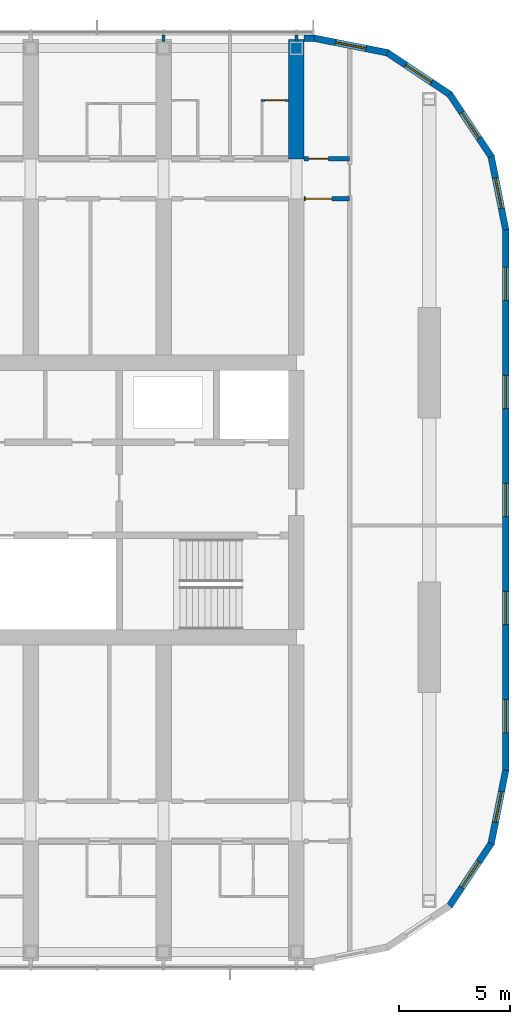
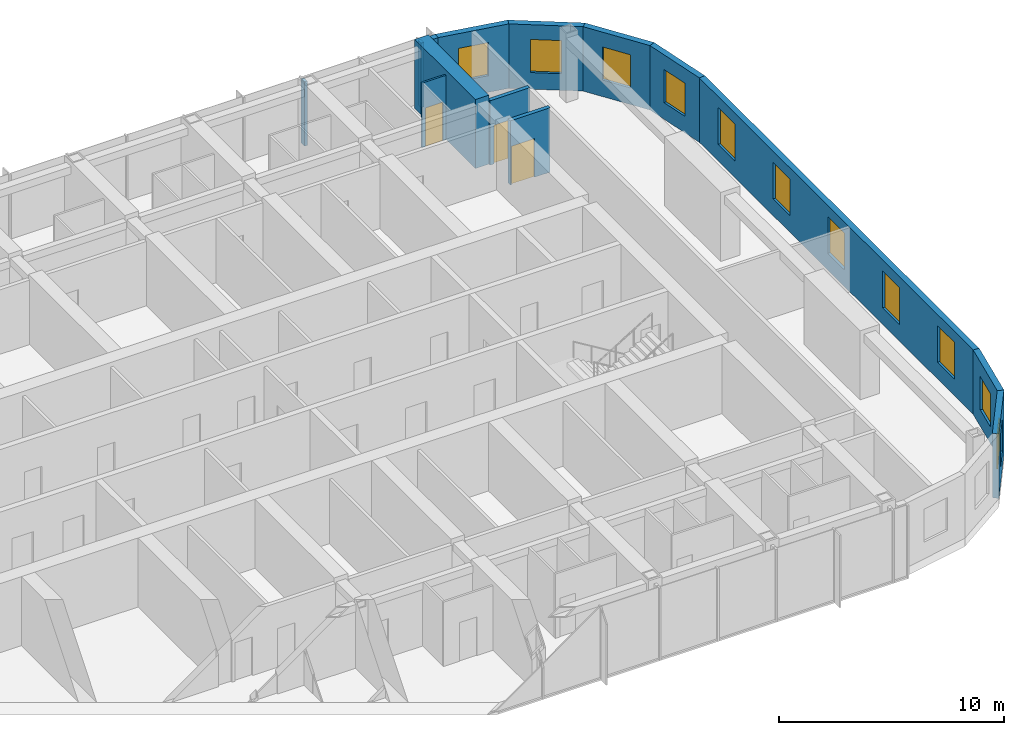
# One storey, part 20 of 27: 14 walls, 11 windows, 3 doors, 14 openings.
"""IFC4 building model written with IfcOpenShell, lengths in metres."""

from ifc_helpers import new_model, si_unit, direction, frame, frame_2d, origin, place, context, subcontext, project, spatial, polyline, rectangle, outline, extrude, material, layer, layer_set, type_object, element, fill, save


model = new_model("IFC4")

# Units and contexts
model_context = context("Model", 3, precision=1e-05, world=origin(), true_north=direction((0.0, 1.0)))
body_context = subcontext(model_context, "Body", "Model", "MODEL_VIEW")
ifc_project = project(units=[si_unit("LENGTHUNIT", "METRE"), si_unit("AREAUNIT", "SQUARE_METRE"), si_unit("VOLUMEUNIT", "CUBIC_METRE"), si_unit("PLANEANGLEUNIT", "RADIAN"), si_unit("MASSUNIT", "GRAM", prefix="KILO")], contexts=[model_context])

# Site, building, storey
site_placement = place(None, origin())
site = spatial("IfcSite", under=ifc_project, at=site_placement, CompositionType="ELEMENT")
building_placement = place(site_placement, origin())
building = spatial("IfcBuilding", under=site, at=building_placement, Name="Orbita Commons", CompositionType="ELEMENT")
storey_placement = place(building_placement, frame((0.0, 0.0, 246.550048828125)))
storey = spatial("IfcBuildingStorey", under=building, at=storey_placement, Name="L61", CompositionType="ELEMENT", Elevation=246.550048828125)

# Wall, opening, door
ifc_material_1 = material(Name="Concrete blockwork", Category="masonry")
ifc_layer_1 = layer(ifc_material_1, 0.199951171875)
ifc_layer_set_1 = layer_set([ifc_layer_1], Name="Concrete blockwork")
wall_type_1 = type_object("IfcWallType", Name="Corridor wall 200 blockwork", PredefinedType="SOLIDWALL", material=ifc_layer_set_1)
wall_1_placement = place(storey_placement, frame((66.35009765625, 47.39990234375, 0.0), z_axis=(0.0, 0.0, 1.0), x_axis=(1.0, 0.0, 0.0)))
wall_1 = element("IfcWall", 1, at=wall_1_placement, inside=storey, type_object=wall_type_1, Name="Corridor wall 200 blockwork L61", PredefinedType="SOLIDWALL", context=body_context, shape_type="SweptSolid", body=[
    extrude(rectangle(XDim=2.0498046875, YDim=0.199951171875, at=frame_2d((1.02490234375, 0.0))), origin(), (0.0, 0.0, 1.0), 3.5),
])
opening_1_placement = place(wall_1_placement, frame((0.199951171875, 0.0, 0.0)))
opening_1 = element("IfcOpeningElement", 2, at=opening_1_placement, cuts=wall_1, Name="Opening D05", PredefinedType="OPENING", context=body_context, shape_type="SweptSolid", body=[
    extrude(rectangle(XDim=0.89990234375, YDim=2.10009765625, at=frame_2d((0.449951171875, 1.050048828125))), frame((0.0, 0.10986328125, 0.0), z_axis=(0.0, -1.0, 0.0), x_axis=(1.0, 0.0, 0.0)), (0.0, 0.0, 1.0), 0.219970703125),
])
ifc_material_2 = material(Name="Steel-faced fire door leaf", Category="steel")
door_type_1 = type_object("IfcDoorType", Name="Service door 20 min 900x2100", OperationType="SINGLE_SWING_LEFT", PredefinedType="DOOR", material=ifc_material_2)
door_1_placement = place(opening_1_placement, origin())
door_1 = element("IfcDoor", 3, at=door_1_placement, inside=storey, type_object=door_type_1, Name="Linen store L61-KEN door", OperationType="SINGLE_SWING_LEFT", OverallHeight=2.10009765625, OverallWidth=0.89990234375, PredefinedType="DOOR", context=body_context, shape_type="SweptSolid", body=[
    extrude(rectangle(XDim=0.89990234375, YDim=2.10009765625, at=frame_2d((0.449951171875, 1.050048828125))), frame((0.0, 0.02490234375, 0.0), z_axis=(0.0, -1.0, 0.0), x_axis=(1.0, 0.0, 0.0)), (0.0, 0.0, 1.0), 0.050048828125),
])
fill(opening_1, door_1)

ifc_material_3 = material(Name="Hollow concrete block 200", Category="concrete")
ifc_layer_2 = layer(ifc_material_3, 0.199951171875)
ifc_layer_set_2 = layer_set([ifc_layer_2], Name="Hollow concrete block 200")
wall_type_2 = type_object("IfcWallType", Name="Corridor wall 200 hollow concrete block", PredefinedType="SOLIDWALL", material=ifc_layer_set_2)
wall_2_placement = place(storey_placement, frame((66.35009765625, 45.60009765625, 0.0), z_axis=(0.0, 0.0, 1.0), x_axis=(1.0, 0.0, 0.0)))
wall_2 = element("IfcWall", 4, at=wall_2_placement, inside=storey, type_object=wall_type_2, Name="Corridor wall 200 hollow concrete block L61", PredefinedType="SOLIDWALL", context=body_context, shape_type="SweptSolid", body=[
    extrude(rectangle(XDim=2.0498046875, YDim=0.199951171875, at=frame_2d((1.02490234375, 0.0))), origin(), (0.0, 0.0, 1.0), 3.5),
])
opening_2_placement = place(wall_2_placement, frame((0.050048828125, 0.0, 0.0)))
opening_2 = element("IfcOpeningElement", 5, at=opening_2_placement, cuts=wall_2, Name="Opening D12", PredefinedType="OPENING", context=body_context, shape_type="SweptSolid", body=[
    extrude(rectangle(XDim=1.199951171875, YDim=2.10009765625, at=frame_2d((0.60009765625, 1.050048828125))), frame((0.0, 0.10986328125, 0.0), z_axis=(0.0, -1.0, 0.0), x_axis=(1.0, 0.0, 0.0)), (0.0, 0.0, 1.0), 0.219970703125),
])
ifc_material_4 = material(Name="Steel-faced fire door leaf", Category="steel")
door_type_2 = type_object("IfcDoorType", Name="Double corridor door 20 min 1200x2100", OperationType="DOUBLE_DOOR_SINGLE_SWING", PredefinedType="DOOR", material=ifc_material_4)
door_2_placement = place(opening_2_placement, origin())
door_2 = element("IfcDoor", 6, at=door_2_placement, inside=storey, type_object=door_type_2, Name="Cross corridor doors", OperationType="DOUBLE_DOOR_SINGLE_SWING", OverallHeight=2.10009765625, OverallWidth=1.199951171875, PredefinedType="DOOR", context=body_context, shape_type="SweptSolid", body=[
    extrude(rectangle(XDim=1.199951171875, YDim=2.10009765625, at=frame_2d((0.60009765625, 1.050048828125))), frame((0.0, 0.02490234375, 0.0), z_axis=(0.0, -1.0, 0.0), x_axis=(1.0, 0.0, 0.0)), (0.0, 0.0, 1.0), 0.050048828125),
])
fill(opening_2, door_2)

# Wall
ifc_material_5 = material(Name="Concrete C50/60", Category="concrete")
ifc_layer_3 = layer(ifc_material_5, 0.699951171875)
ifc_layer_set_3 = layer_set([ifc_layer_3], Name="Concrete C50/60")
wall_type_3 = type_object("IfcWallType", Name="Cross wall 700 C50/60", PredefinedType="SHEAR", material=ifc_layer_set_3)
wall_3_placement = place(storey_placement, frame((66.0, 47.39990234375, 0.0), z_axis=(0.0, 0.0, 1.0), x_axis=(0.0, 1.0, 0.0)))
element("IfcWall", 7, at=wall_3_placement, inside=storey, type_object=wall_type_3, Name="Cross wall 12 north outer L61", PredefinedType="SHEAR", context=body_context, shape_type="SweptSolid", body=[
    extrude(rectangle(XDim=5.400146484375, YDim=0.699951171875, at=frame_2d((2.7001953125, 0.0))), origin(), (0.0, 0.0, 1.0), 3.75),
])

# Wall, opening, door
ifc_material_6 = material(Name="Moisture-resistant plasterboard on steel studs", Category="steel")
ifc_layer_4 = layer(ifc_material_6, 0.10009765625)
ifc_layer_set_4 = layer_set([ifc_layer_4], Name="Moisture-resistant plasterboard on steel studs")
wall_type_4 = type_object("IfcWallType", Name="En-suite partition 100", PredefinedType="PARTITIONING", material=ifc_layer_set_4)
wall_4_placement = place(storey_placement, frame((64.39990234375, 50.041748046875, 0.0), z_axis=(0.0, 0.0, 1.0), x_axis=(1.0, 0.0, 0.0)))
wall_4 = element("IfcWall", 8, at=wall_4_placement, inside=storey, type_object=wall_type_4, Name="En-suite partition 100 L61", PredefinedType="PARTITIONING", context=body_context, shape_type="SweptSolid", body=[
    extrude(rectangle(XDim=1.25, YDim=0.10009765625, at=frame_2d((0.625, 0.0))), origin(), (0.0, 0.0, 1.0), 3.5),
])
opening_3_placement = place(wall_4_placement, frame((0.175048828125, 0.0, 0.0)))
opening_3 = element("IfcOpeningElement", 9, at=opening_3_placement, cuts=wall_4, Name="Opening D09", PredefinedType="OPENING", context=body_context, shape_type="SweptSolid", body=[
    extrude(rectangle(XDim=0.89990234375, YDim=2.10009765625, at=frame_2d((0.449951171875, 1.050048828125))), frame((0.0, 0.06005859375, 0.0), z_axis=(0.0, -1.0, 0.0), x_axis=(1.0, 0.0, 0.0)), (0.0, 0.0, 1.0), 0.1201171875),
])
ifc_material_7 = material(Name="Laminated timber door leaf", Category="wood")
door_type_3 = type_object("IfcDoorType", Name="En-suite door 900x2100", OperationType="SINGLE_SWING_RIGHT", PredefinedType="DOOR", material=ifc_material_7)
door_3_placement = place(opening_3_placement, origin())
door_3 = element("IfcDoor", 10, at=door_3_placement, inside=storey, type_object=door_type_3, Name="En-suite L61-N15 door", OperationType="SINGLE_SWING_RIGHT", OverallHeight=2.10009765625, OverallWidth=0.89990234375, PredefinedType="DOOR", context=body_context, shape_type="SweptSolid", body=[
    extrude(rectangle(XDim=0.89990234375, YDim=2.10009765625, at=frame_2d((0.449951171875, 1.050048828125))), frame((0.0, 0.02490234375, 0.0), z_axis=(0.0, -1.0, 0.0), x_axis=(1.0, 0.0, 0.0)), (0.0, 0.0, 1.0), 0.050048828125),
])
fill(opening_3, door_3)

# Walls
ifc_material_8 = material(Name="Gypsum plasterboard on steel studs", Category="steel")
ifc_layer_5 = layer(ifc_material_8, 0.14990234375)
ifc_layer_set_5 = layer_set([ifc_layer_5], Name="Gypsum plasterboard on steel studs")
wall_type_5 = type_object("IfcWallType", Name="Partition 150 plasterboard", PredefinedType="PARTITIONING", material=ifc_layer_set_5)
for number, where, z_axis, x_axis, name in (
    (11, (60.0, 52.699951171875, 0.0), (0.0, 0.0, 1.0), (0.0, 1.0, 0.0), "Partition 150 plasterboard L61"),
    (12, (66.0, 52.699951171875, 0.0), (0.0, 0.0, 1.0), (0.0, 1.0, 0.0), "Partition 150 plasterboard L61"),
):
    element("IfcWall", number, at=place(storey_placement, frame(where, z_axis=z_axis, x_axis=x_axis)), inside=storey, type_object=wall_type_5, Name=name, PredefinedType="PARTITIONING", context=body_context, shape_type="SweptSolid", body=[
        extrude(rectangle(XDim=0.2900390625, YDim=0.14990234375, at=frame_2d((0.14501953125, 0.0))), origin(), (0.0, 0.0, 1.0), 3.5),
    ])

# Wall, openings, windows
ifc_material_9 = material(Name="Precast concrete C40/50, white board-marked finish", Category="concrete")
ifc_layer_6 = layer(ifc_material_9, 0.300048828125)
ifc_layer_set_6 = layer_set([ifc_layer_6], Name="Precast concrete C40/50, white board-marked finish")
wall_type_6 = type_object("IfcWallType", Name="Precast concrete end shield 300", PredefinedType="SOLIDWALL", material=ifc_layer_set_6)
wall_5_placement = place(storey_placement, frame((75.449951171875, 19.800048828125, 0.0), z_axis=(0.0, 0.0, 1.0), x_axis=(0.0, 1.0, 0.0)))
wall_5 = element("IfcWall", 13, at=wall_5_placement, inside=storey, type_object=wall_type_6, Name="End shield E L61", PredefinedType="SOLIDWALL", context=body_context, shape_type="SweptSolid", body=[
    extrude(outline(polyline([(-0.014892578125, -0.14990234375), (24.414794921875, -0.14990234375), (24.385009765625, 0.14990234375), (0.014892578125, 0.14990234375), (-0.014892578125, -0.14990234375)])), origin(), (0.0, 0.0, 1.0), 3.5),
])
opening_4_placement = place(wall_5_placement, frame((1.68994140625, 0.0, 0.89990234375)))
opening_4 = element("IfcOpeningElement", 14, at=opening_4_placement, cuts=wall_5, Name="Opening W01", PredefinedType="OPENING", context=body_context, shape_type="SweptSolid", body=[
    extrude(rectangle(XDim=1.5, YDim=2.0, at=frame_2d((0.75, 1.0))), frame((0.0, 0.159912109375, 0.0), z_axis=(0.0, -1.0, 0.0), x_axis=(1.0, 0.0, 0.0)), (0.0, 0.0, 1.0), 0.320068359375),
])
opening_5_placement = place(wall_5_placement, frame((6.570068359375, 0.0, 0.89990234375)))
opening_5 = element("IfcOpeningElement", 15, at=opening_5_placement, cuts=wall_5, Name="Opening W01", PredefinedType="OPENING", context=body_context, shape_type="SweptSolid", body=[
    extrude(rectangle(XDim=1.5, YDim=2.0, at=frame_2d((0.75, 1.0))), frame((0.0, 0.159912109375, 0.0), z_axis=(0.0, -1.0, 0.0), x_axis=(1.0, 0.0, 0.0)), (0.0, 0.0, 1.0), 0.320068359375),
])
opening_6_placement = place(wall_5_placement, frame((11.449951171875, 0.0, 0.89990234375)))
opening_6 = element("IfcOpeningElement", 16, at=opening_6_placement, cuts=wall_5, Name="Opening W01", PredefinedType="OPENING", context=body_context, shape_type="SweptSolid", body=[
    extrude(rectangle(XDim=1.5, YDim=2.0, at=frame_2d((0.75, 1.0))), frame((0.0, 0.159912109375, 0.0), z_axis=(0.0, -1.0, 0.0), x_axis=(1.0, 0.0, 0.0)), (0.0, 0.0, 1.0), 0.320068359375),
])
opening_7_placement = place(wall_5_placement, frame((16.330078125, 0.0, 0.89990234375)))
opening_7 = element("IfcOpeningElement", 17, at=opening_7_placement, cuts=wall_5, Name="Opening W01", PredefinedType="OPENING", context=body_context, shape_type="SweptSolid", body=[
    extrude(rectangle(XDim=1.5, YDim=2.0, at=frame_2d((0.75, 1.0))), frame((0.0, 0.159912109375, 0.0), z_axis=(0.0, -1.0, 0.0), x_axis=(1.0, 0.0, 0.0)), (0.0, 0.0, 1.0), 0.320068359375),
])
opening_8_placement = place(wall_5_placement, frame((21.2099609375, 0.0, 0.89990234375)))
opening_8 = element("IfcOpeningElement", 18, at=opening_8_placement, cuts=wall_5, Name="Opening W01", PredefinedType="OPENING", context=body_context, shape_type="SweptSolid", body=[
    extrude(rectangle(XDim=1.5, YDim=2.0, at=frame_2d((0.75, 1.0))), frame((0.0, 0.159912109375, 0.0), z_axis=(0.0, -1.0, 0.0), x_axis=(1.0, 0.0, 0.0)), (0.0, 0.0, 1.0), 0.320068359375),
])
ifc_material_10 = material(Name="Aluminium frame, clear double glazing", Category="aluminium")
window_type_1 = type_object("IfcWindowType", Name="Deep-set window 1500x2000", PartitioningType="SINGLE_PANEL", PredefinedType="WINDOW", material=ifc_material_10)
window_1_placement = place(opening_4_placement, origin())
window_1 = element("IfcWindow", 19, at=window_1_placement, inside=storey, type_object=window_type_1, Name="Window L61-E 1", OverallHeight=2.0, OverallWidth=1.5, PartitioningType="SINGLE_PANEL", PredefinedType="WINDOW", context=body_context, shape_type="SweptSolid", body=[
    extrude(rectangle(XDim=1.5, YDim=2.0, at=frame_2d((0.75, 1.0))), frame((0.0, 0.030029296875, 0.0), z_axis=(0.0, -1.0, 0.0), x_axis=(1.0, 0.0, 0.0)), (0.0, 0.0, 1.0), 0.06005859375),
])
fill(opening_4, window_1)
window_2_placement = place(opening_5_placement, origin())
window_2 = element("IfcWindow", 20, at=window_2_placement, inside=storey, type_object=window_type_1, Name="Window L61-E 2", OverallHeight=2.0, OverallWidth=1.5, PartitioningType="SINGLE_PANEL", PredefinedType="WINDOW", context=body_context, shape_type="SweptSolid", body=[
    extrude(rectangle(XDim=1.5, YDim=2.0, at=frame_2d((0.75, 1.0))), frame((0.0, 0.030029296875, 0.0), z_axis=(0.0, -1.0, 0.0), x_axis=(1.0, 0.0, 0.0)), (0.0, 0.0, 1.0), 0.06005859375),
])
fill(opening_5, window_2)
window_3_placement = place(opening_6_placement, origin())
window_3 = element("IfcWindow", 21, at=window_3_placement, inside=storey, type_object=window_type_1, Name="Window L61-E 3", OverallHeight=2.0, OverallWidth=1.5, PartitioningType="SINGLE_PANEL", PredefinedType="WINDOW", context=body_context, shape_type="SweptSolid", body=[
    extrude(rectangle(XDim=1.5, YDim=2.0, at=frame_2d((0.75, 1.0))), frame((0.0, 0.030029296875, 0.0), z_axis=(0.0, -1.0, 0.0), x_axis=(1.0, 0.0, 0.0)), (0.0, 0.0, 1.0), 0.06005859375),
])
fill(opening_6, window_3)
window_4_placement = place(opening_7_placement, origin())
window_4 = element("IfcWindow", 22, at=window_4_placement, inside=storey, type_object=window_type_1, Name="Window L61-E 4", OverallHeight=2.0, OverallWidth=1.5, PartitioningType="SINGLE_PANEL", PredefinedType="WINDOW", context=body_context, shape_type="SweptSolid", body=[
    extrude(rectangle(XDim=1.5, YDim=2.0, at=frame_2d((0.75, 1.0))), frame((0.0, 0.030029296875, 0.0), z_axis=(0.0, -1.0, 0.0), x_axis=(1.0, 0.0, 0.0)), (0.0, 0.0, 1.0), 0.06005859375),
])
fill(opening_7, window_4)
window_5_placement = place(opening_8_placement, origin())
window_5 = element("IfcWindow", 23, at=window_5_placement, inside=storey, type_object=window_type_1, Name="Window L61-E 5", OverallHeight=2.0, OverallWidth=1.5, PartitioningType="SINGLE_PANEL", PredefinedType="WINDOW", context=body_context, shape_type="SweptSolid", body=[
    extrude(rectangle(XDim=1.5, YDim=2.0, at=frame_2d((0.75, 1.0))), frame((0.0, 0.030029296875, 0.0), z_axis=(0.0, -1.0, 0.0), x_axis=(1.0, 0.0, 0.0)), (0.0, 0.0, 1.0), 0.06005859375),
])
fill(opening_8, window_5)

# Wall, opening, window
wall_6_placement = place(storey_placement, frame((72.91650390625, 13.68359375, 0.0), z_axis=(0.0, 0.0, 1.0), x_axis=(0.555567969291, 0.831471124873, 0.0)))
wall_6 = element("IfcWall", 24, at=wall_6_placement, inside=storey, type_object=wall_type_6, Name="End shield SE chord 3 L61", PredefinedType="SOLIDWALL", context=body_context, shape_type="SweptSolid", body=[
    extrude(outline(polyline([(-0.02978515625, -0.14990234375), (3.40478515625, -0.14990234375), (3.34521484375, 0.14990234375), (0.02978515625, 0.14990234375), (-0.02978515625, -0.14990234375)])), origin(), (0.0, 0.0, 1.0), 3.5),
])
opening_9_placement = place(wall_6_placement, frame((0.987548828125, 0.0, 0.89990234375)))
opening_9 = element("IfcOpeningElement", 25, at=opening_9_placement, cuts=wall_6, Name="Opening W02", PredefinedType="OPENING", context=body_context, shape_type="SweptSolid", body=[
    extrude(rectangle(XDim=1.39990234375, YDim=1.800048828125, at=frame_2d((0.699951171875, 0.89990234375))), frame((0.0, 0.159912109375, 0.0), z_axis=(0.0, -1.0, 0.0), x_axis=(1.0, 0.0, 0.0)), (0.0, 0.0, 1.0), 0.320068359375),
])
ifc_material_11 = material(Name="Aluminium frame, clear double glazing", Category="aluminium")
window_type_2 = type_object("IfcWindowType", Name="Deep-set window 1400x1800", PartitioningType="SINGLE_PANEL", PredefinedType="WINDOW", material=ifc_material_11)
window_6_placement = place(opening_9_placement, origin())
window_6 = element("IfcWindow", 26, at=window_6_placement, inside=storey, type_object=window_type_2, Name="Window L61-SE2", OverallHeight=1.800048828125, OverallWidth=1.39990234375, PartitioningType="SINGLE_PANEL", PredefinedType="WINDOW", context=body_context, shape_type="SweptSolid", body=[
    extrude(rectangle(XDim=1.39990234375, YDim=1.800048828125, at=frame_2d((0.699951171875, 0.89990234375))), frame((0.0, 0.030029296875, 0.0), z_axis=(0.0, -1.0, 0.0), x_axis=(1.0, 0.0, 0.0)), (0.0, 0.0, 1.0), 0.06005859375),
])
fill(opening_9, window_6)

wall_7_placement = place(storey_placement, frame((74.79150390625, 16.48974609375, 0.0), z_axis=(0.0, 0.0, 1.0), x_axis=(0.19508664885, 0.980786011034, 0.0)))
wall_7 = element("IfcWall", 27, at=wall_7_placement, inside=storey, type_object=wall_type_6, Name="End shield SE chord 4 L61", PredefinedType="SOLIDWALL", context=body_context, shape_type="SweptSolid", body=[
    extrude(outline(polyline([(-0.02978515625, -0.14990234375), (3.39013671875, -0.14990234375), (3.3603515625, 0.14990234375), (0.02978515625, 0.14990234375), (-0.02978515625, -0.14990234375)])), origin(), (0.0, 0.0, 1.0), 3.5),
])
opening_10_placement = place(wall_7_placement, frame((0.987548828125, 0.0, 0.89990234375)))
opening_10 = element("IfcOpeningElement", 28, at=opening_10_placement, cuts=wall_7, Name="Opening W02", PredefinedType="OPENING", context=body_context, shape_type="SweptSolid", body=[
    extrude(rectangle(XDim=1.39990234375, YDim=1.800048828125, at=frame_2d((0.699951171875, 0.89990234375))), frame((0.0, 0.159912109375, 0.0), z_axis=(0.0, -1.0, 0.0), x_axis=(1.0, 0.0, 0.0)), (0.0, 0.0, 1.0), 0.320068359375),
])
window_7_placement = place(opening_10_placement, origin())
window_7 = element("IfcWindow", 29, at=window_7_placement, inside=storey, type_object=window_type_2, Name="Window L61-SE3", OverallHeight=1.800048828125, OverallWidth=1.39990234375, PartitioningType="SINGLE_PANEL", PredefinedType="WINDOW", context=body_context, shape_type="SweptSolid", body=[
    extrude(rectangle(XDim=1.39990234375, YDim=1.800048828125, at=frame_2d((0.699951171875, 0.89990234375))), frame((0.0, 0.030029296875, 0.0), z_axis=(0.0, -1.0, 0.0), x_axis=(1.0, 0.0, 0.0)), (0.0, 0.0, 1.0), 0.06005859375),
])
fill(opening_10, window_7)

wall_8_placement = place(storey_placement, frame((75.449951171875, 44.199951171875, 0.0), z_axis=(0.0, 0.0, 1.0), x_axis=(-0.19508664885, 0.980786011034, 0.0)))
wall_8 = element("IfcWall", 30, at=wall_8_placement, inside=storey, type_object=wall_type_6, Name="End shield NE chord 1 L61", PredefinedType="SOLIDWALL", context=body_context, shape_type="SweptSolid", body=[
    extrude(outline(polyline([(-0.014892578125, -0.14990234375), (3.405029296875, -0.14990234375), (3.345458984375, 0.14990234375), (0.014892578125, 0.14990234375), (-0.014892578125, -0.14990234375)])), origin(), (0.0, 0.0, 1.0), 3.5),
])
opening_11_placement = place(wall_8_placement, frame((0.987548828125, 0.0, 0.89990234375)))
opening_11 = element("IfcOpeningElement", 31, at=opening_11_placement, cuts=wall_8, Name="Opening W02", PredefinedType="OPENING", context=body_context, shape_type="SweptSolid", body=[
    extrude(rectangle(XDim=1.39990234375, YDim=1.800048828125, at=frame_2d((0.699951171875, 0.89990234375))), frame((0.0, 0.159912109375, 0.0), z_axis=(0.0, -1.0, 0.0), x_axis=(1.0, 0.0, 0.0)), (0.0, 0.0, 1.0), 0.320068359375),
])
window_8_placement = place(opening_11_placement, origin())
window_8 = element("IfcWindow", 32, at=window_8_placement, inside=storey, type_object=window_type_2, Name="Window L61-NE0", OverallHeight=1.800048828125, OverallWidth=1.39990234375, PartitioningType="SINGLE_PANEL", PredefinedType="WINDOW", context=body_context, shape_type="SweptSolid", body=[
    extrude(rectangle(XDim=1.39990234375, YDim=1.800048828125, at=frame_2d((0.699951171875, 0.89990234375))), frame((0.0, 0.030029296875, 0.0), z_axis=(0.0, -1.0, 0.0), x_axis=(1.0, 0.0, 0.0)), (0.0, 0.0, 1.0), 0.06005859375),
])
fill(opening_11, window_8)

wall_9_placement = place(storey_placement, frame((74.79150390625, 47.51025390625, 0.0), z_axis=(0.0, 0.0, 1.0), x_axis=(-0.555567969291, 0.831471124873, 0.0)))
wall_9 = element("IfcWall", 33, at=wall_9_placement, inside=storey, type_object=wall_type_6, Name="End shield NE chord 2 L61", PredefinedType="SOLIDWALL", context=body_context, shape_type="SweptSolid", body=[
    extrude(outline(polyline([(-0.02978515625, -0.14990234375), (3.40478515625, -0.14990234375), (3.34521484375, 0.14990234375), (0.02978515625, 0.14990234375), (-0.02978515625, -0.14990234375)])), origin(), (0.0, 0.0, 1.0), 3.5),
])
opening_12_placement = place(wall_9_placement, frame((0.987548828125, 0.0, 0.89990234375)))
opening_12 = element("IfcOpeningElement", 34, at=opening_12_placement, cuts=wall_9, Name="Opening W02", PredefinedType="OPENING", context=body_context, shape_type="SweptSolid", body=[
    extrude(rectangle(XDim=1.39990234375, YDim=1.800048828125, at=frame_2d((0.699951171875, 0.89990234375))), frame((0.0, 0.159912109375, 0.0), z_axis=(0.0, -1.0, 0.0), x_axis=(1.0, 0.0, 0.0)), (0.0, 0.0, 1.0), 0.320068359375),
])
window_9_placement = place(opening_12_placement, origin())
window_9 = element("IfcWindow", 35, at=window_9_placement, inside=storey, type_object=window_type_2, Name="Window L61-NE1", OverallHeight=1.800048828125, OverallWidth=1.39990234375, PartitioningType="SINGLE_PANEL", PredefinedType="WINDOW", context=body_context, shape_type="SweptSolid", body=[
    extrude(rectangle(XDim=1.39990234375, YDim=1.800048828125, at=frame_2d((0.699951171875, 0.89990234375))), frame((0.0, 0.030029296875, 0.0), z_axis=(0.0, -1.0, 0.0), x_axis=(1.0, 0.0, 0.0)), (0.0, 0.0, 1.0), 0.06005859375),
])
fill(opening_12, window_9)

wall_10_placement = place(storey_placement, frame((72.91650390625, 50.31640625, 0.0), z_axis=(0.0, 0.0, 1.0), x_axis=(-0.831460037396, 0.555584562613, 0.0)))
wall_10 = element("IfcWall", 36, at=wall_10_placement, inside=storey, type_object=wall_type_6, Name="End shield NE chord 3 L61", PredefinedType="SOLIDWALL", context=body_context, shape_type="SweptSolid", body=[
    extrude(outline(polyline([(-0.02978515625, -0.14990234375), (3.405029296875, -0.14990234375), (3.345458984375, 0.14990234375), (0.02978515625, 0.14990234375), (-0.02978515625, -0.14990234375)])), origin(), (0.0, 0.0, 1.0), 3.5),
])
opening_13_placement = place(wall_10_placement, frame((0.987548828125, 0.0, 0.89990234375)))
opening_13 = element("IfcOpeningElement", 37, at=opening_13_placement, cuts=wall_10, Name="Opening W02", PredefinedType="OPENING", context=body_context, shape_type="SweptSolid", body=[
    extrude(rectangle(XDim=1.39990234375, YDim=1.800048828125, at=frame_2d((0.699951171875, 0.89990234375))), frame((0.0, 0.159912109375, 0.0), z_axis=(0.0, -1.0, 0.0), x_axis=(1.0, 0.0, 0.0)), (0.0, 0.0, 1.0), 0.320068359375),
])
window_10_placement = place(opening_13_placement, origin())
window_10 = element("IfcWindow", 38, at=window_10_placement, inside=storey, type_object=window_type_2, Name="Window L61-NE2", OverallHeight=1.800048828125, OverallWidth=1.39990234375, PartitioningType="SINGLE_PANEL", PredefinedType="WINDOW", context=body_context, shape_type="SweptSolid", body=[
    extrude(rectangle(XDim=1.39990234375, YDim=1.800048828125, at=frame_2d((0.699951171875, 0.89990234375))), frame((0.0, 0.030029296875, 0.0), z_axis=(0.0, -1.0, 0.0), x_axis=(1.0, 0.0, 0.0)), (0.0, 0.0, 1.0), 0.06005859375),
])
fill(opening_13, window_10)

wall_11_placement = place(storey_placement, frame((70.110107421875, 52.191650390625, 0.0), z_axis=(0.0, 0.0, 1.0), x_axis=(-0.98078325777, 0.195100490205, 0.0)))
wall_11 = element("IfcWall", 39, at=wall_11_placement, inside=storey, type_object=wall_type_6, Name="End shield NE chord 4 L61", PredefinedType="SOLIDWALL", context=body_context, shape_type="SweptSolid", body=[
    extrude(outline(polyline([(-0.02978515625, -0.14990234375), (3.40478515625, -0.14990234375), (3.34521484375, 0.14990234375), (0.02978515625, 0.14990234375), (-0.02978515625, -0.14990234375)])), origin(), (0.0, 0.0, 1.0), 3.5),
])
opening_14_placement = place(wall_11_placement, frame((0.987548828125, 0.0, 0.89990234375)))
opening_14 = element("IfcOpeningElement", 40, at=opening_14_placement, cuts=wall_11, Name="Opening W02", PredefinedType="OPENING", context=body_context, shape_type="SweptSolid", body=[
    extrude(rectangle(XDim=1.39990234375, YDim=1.800048828125, at=frame_2d((0.699951171875, 0.89990234375))), frame((0.0, 0.159912109375, 0.0), z_axis=(0.0, -1.0, 0.0), x_axis=(1.0, 0.0, 0.0)), (0.0, 0.0, 1.0), 0.320068359375),
])
window_11_placement = place(opening_14_placement, origin())
window_11 = element("IfcWindow", 41, at=window_11_placement, inside=storey, type_object=window_type_2, Name="Window L61-NE3", OverallHeight=1.800048828125, OverallWidth=1.39990234375, PartitioningType="SINGLE_PANEL", PredefinedType="WINDOW", context=body_context, shape_type="SweptSolid", body=[
    extrude(rectangle(XDim=1.39990234375, YDim=1.800048828125, at=frame_2d((0.699951171875, 0.89990234375))), frame((0.0, 0.030029296875, 0.0), z_axis=(0.0, -1.0, 0.0), x_axis=(1.0, 0.0, 0.0)), (0.0, 0.0, 1.0), 0.06005859375),
])
fill(opening_14, window_11)

# Wall
wall_12_placement = place(storey_placement, frame((66.800048828125, 52.85009765625, 0.0), z_axis=(0.0, 0.0, 1.0), x_axis=(-1.0, 0.0, 0.0)))
element("IfcWall", 42, at=wall_12_placement, inside=storey, type_object=wall_type_6, Name="End shield NE closer L61", PredefinedType="SOLIDWALL", context=body_context, shape_type="SweptSolid", body=[
    extrude(rectangle(XDim=0.449951171875, YDim=0.300048828125, at=frame_2d((0.22509765625, 0.0))), origin(), (0.0, 0.0, 1.0), 3.5),
])

save(model, "model.ifc")
